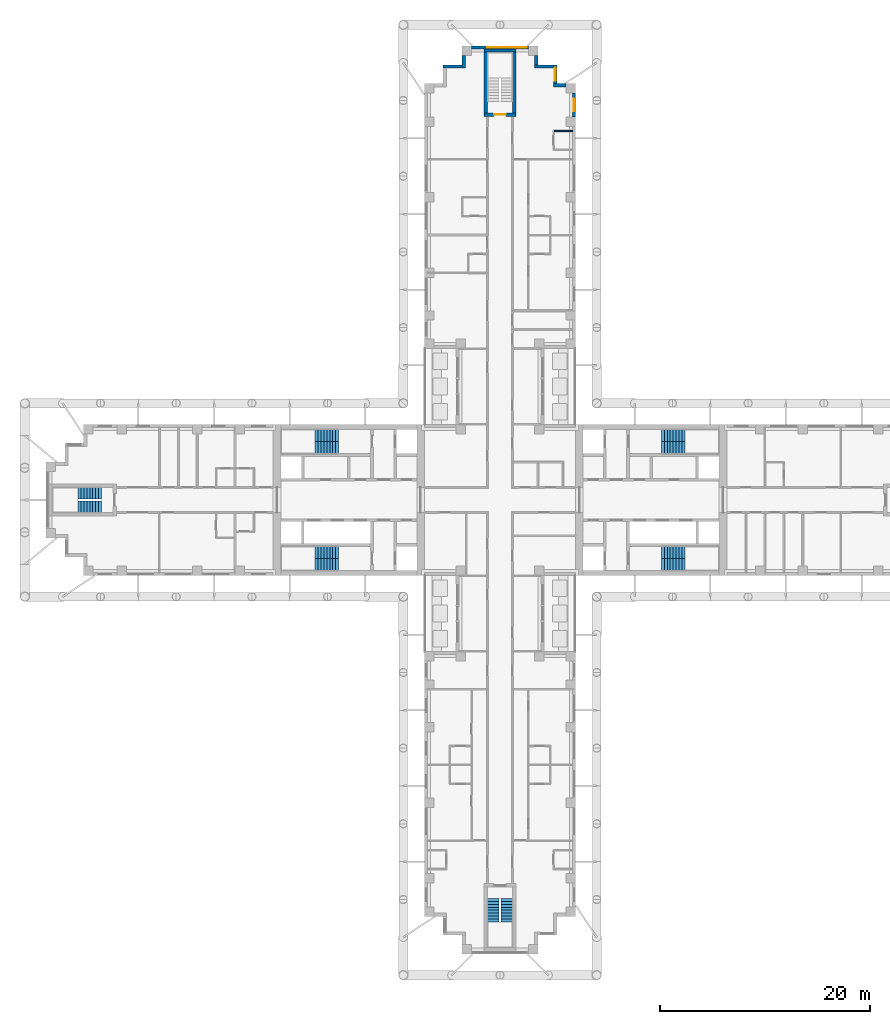
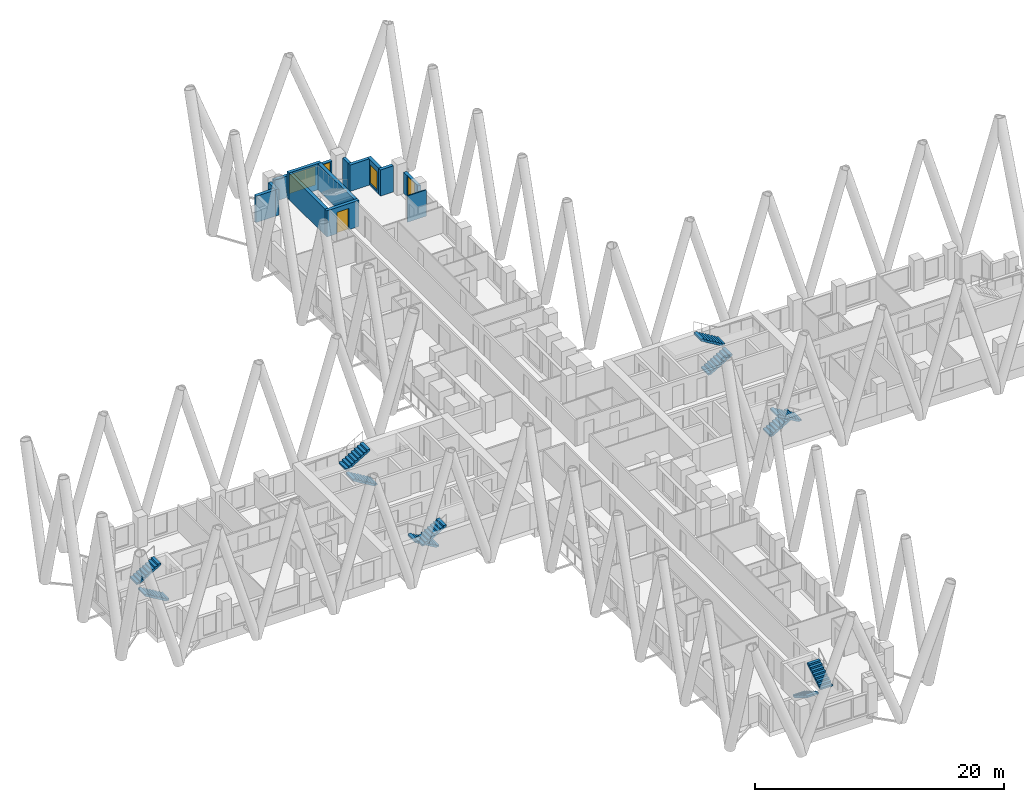
# One storey, part 13 of 16: 13 walls, 12 stair flights, 4 windows, 1 door, 5 openings, 6 elements without a shape of their own.
"""IFC4 building model written with IfcOpenShell, lengths in metres."""

from ifc_helpers import new_model, si_unit, direction, frame, frame_2d, origin, place, context, subcontext, project, spatial, polyline, rectangle, outline, extrude, material, layer, layer_set, type_object, element, fill, aggregate, save


model = new_model("IFC4")

# Units and contexts
model_context = context("Model", 3, precision=1e-05, world=origin(), true_north=direction((0.0, 1.0)))
body_context = subcontext(model_context, "Body", "Model", "MODEL_VIEW")
ifc_project = project(units=[si_unit("LENGTHUNIT", "METRE"), si_unit("AREAUNIT", "SQUARE_METRE"), si_unit("VOLUMEUNIT", "CUBIC_METRE"), si_unit("PLANEANGLEUNIT", "RADIAN"), si_unit("MASSUNIT", "GRAM", prefix="KILO")], contexts=[model_context])

# Site, building, storey
site_placement = place(None, origin())
site = spatial("IfcSite", under=ifc_project, at=site_placement, CompositionType="ELEMENT")
building_placement = place(site_placement, origin())
building = spatial("IfcBuilding", under=site, at=building_placement, Name="Fustian Cross Tower", CompositionType="ELEMENT")
storey_placement = place(building_placement, frame((0.0, 0.0, 44.699951171875)))
storey = spatial("IfcBuildingStorey", under=building, at=storey_placement, Name="L13", CompositionType="ELEMENT", Elevation=44.699951171875)

# Wall
ifc_material_1 = material(Name="Plasterboard on steel stud", Category="steel")
ifc_layer_1 = layer(ifc_material_1, 0.10009765625)
ifc_layer_set_1 = layer_set([ifc_layer_1], Name="Plasterboard on steel stud")
wall_type_1 = type_object("IfcWallType", Name="PARTITION 100 STUD", PredefinedType="PARTITIONING", material=ifc_layer_set_1)
wall_1_placement = place(storey_placement, frame((5.14990234375, 35.10009765625, 0.0), z_axis=(0.0, 0.0, 1.0), x_axis=(1.0, 0.0, 0.0)))
element("IfcWall", 1, at=wall_1_placement, inside=storey, type_object=wall_type_1, Name="Partition 75", PredefinedType="PARTITIONING", context=body_context, shape_type="SweptSolid", body=[
    extrude(rectangle(XDim=1.75, YDim=0.10009765625, at=frame_2d((0.875, 0.0))), origin(), (0.0, 0.0, 1.0), 2.574951171875),
])

# Wall, opening, door
ifc_material_2 = material(Name="Concrete C50/60", Category="concrete")
ifc_layer_2 = layer(ifc_material_2, 0.300048828125)
ifc_layer_set_2 = layer_set([ifc_layer_2], Name="Concrete C50/60")
wall_type_2 = type_object("IfcWallType", Name="STAIR ENCLOSURE WALL 300 C50/60", PredefinedType="SHEAR", material=ifc_layer_set_2)
wall_2_placement = place(storey_placement, frame((-1.5, 36.64990234375, 0.0), z_axis=(0.0, 0.0, 1.0), x_axis=(1.0, 0.0, 0.0)))
wall_2 = element("IfcWall", 2, at=wall_2_placement, inside=storey, type_object=wall_type_2, Name="Stair enclosure wall", PredefinedType="SHEAR", context=body_context, shape_type="SweptSolid", body=[
    extrude(rectangle(XDim=3.0, YDim=0.300048828125, at=frame_2d((1.5, 0.0))), origin(), (0.0, 0.0, 1.0), 2.574951171875),
])
opening_1_placement = place(wall_2_placement, frame((0.949951171875, 0.0, 0.0)))
opening_1 = element("IfcOpeningElement", 3, at=opening_1_placement, cuts=wall_2, Name="Opening CD-05-31", PredefinedType="OPENING", context=body_context, shape_type="SweptSolid", body=[
    extrude(rectangle(XDim=1.10009765625, YDim=2.10009765625, at=frame_2d((0.550048828125, 1.050048828125))), frame((0.0, 0.159912109375, 0.0), z_axis=(0.0, -1.0, 0.0), x_axis=(1.0, 0.0, 0.0)), (0.0, 0.0, 1.0), 0.320068359375),
])
ifc_material_3 = material(Name="Steel", Category="steel")
door_type = type_object("IfcDoorType", Name="FIRE DOOR FD60S 1100X2100", OperationType="SINGLE_SWING_LEFT", PredefinedType="DOOR", material=ifc_material_3)
door_placement = place(opening_1_placement, origin())
door = element("IfcDoor", 4, at=door_placement, inside=storey, type_object=door_type, Name="Core door CD-05-31", OperationType="SINGLE_SWING_LEFT", OverallHeight=2.10009765625, OverallWidth=1.10009765625, PredefinedType="DOOR", context=body_context, shape_type="SweptSolid", body=[
    extrude(rectangle(XDim=1.10009765625, YDim=2.10009765625, at=frame_2d((0.550048828125, 1.050048828125))), frame((0.0, 0.02490234375, 0.0), z_axis=(0.0, -1.0, 0.0), x_axis=(1.0, 0.0, 0.0)), (0.0, 0.0, 1.0), 0.050048828125),
])
fill(opening_1, door)

# Walls
wall_3_placement = place(storey_placement, frame((-1.5, 42.75, 0.0), z_axis=(0.0, 0.0, 1.0), x_axis=(1.0, 0.0, 0.0)))
element("IfcWall", 5, at=wall_3_placement, inside=storey, type_object=wall_type_2, Name="Stair enclosure wall", PredefinedType="SHEAR", context=body_context, shape_type="SweptSolid", body=[
    extrude(rectangle(XDim=3.0, YDim=0.300048828125, at=frame_2d((1.5, 0.0))), origin(), (0.0, 0.0, 1.0), 2.574951171875),
])
for number, where, z_axis, x_axis, name in (
    (6, (-1.35009765625, 36.800048828125, 0.0), (0.0, 0.0, 1.0), (0.0, 1.0, 0.0), "Stair enclosure wall"),
    (7, (1.35009765625, 36.800048828125, 0.0), (0.0, 0.0, 1.0), (0.0, 1.0, 0.0), "Stair enclosure wall"),
):
    element("IfcWall", number, at=place(storey_placement, frame(where, z_axis=z_axis, x_axis=x_axis)), inside=storey, type_object=wall_type_2, Name=name, PredefinedType="SHEAR", context=body_context, shape_type="SweptSolid", body=[
        extrude(rectangle(XDim=5.800048828125, YDim=0.300048828125, at=frame_2d((2.89990234375, 0.0))), origin(), (0.0, 0.0, 1.0), 2.574951171875),
    ])

# Wall, opening, window
ifc_material_4 = material(Name="Dark aluminium cladding on insulated backing wall", Category="aluminium")
ifc_layer_3 = layer(ifc_material_4, 0.300048828125)
ifc_layer_set_3 = layer_set([ifc_layer_3], Name="Dark aluminium cladding on insulated backing wall")
wall_type_3 = type_object("IfcWallType", Name="XW1 EXTERNAL WALL 300", PredefinedType="SOLIDWALL", material=ifc_layer_set_3)
wall_4_placement = place(storey_placement, frame((7.050048828125, 36.449951171875, 0.0), z_axis=(0.0, 0.0, 1.0), x_axis=(0.0, 1.0, 0.0)))
wall_4 = element("IfcWall", 8, at=wall_4_placement, inside=storey, type_object=wall_type_3, Name="External wall", PredefinedType="SOLIDWALL", context=body_context, shape_type="SweptSolid", body=[
    extrude(rectangle(XDim=2.25, YDim=0.300048828125, at=frame_2d((1.125, 0.0))), origin(), (0.0, 0.0, 1.0), 2.10009765625),
])
opening_2_placement = place(wall_4_placement, frame((0.52490234375, 0.0, 0.199951171875)))
opening_2 = element("IfcOpeningElement", 9, at=opening_2_placement, cuts=wall_4, Name="Opening WN3", PredefinedType="OPENING", context=body_context, shape_type="SweptSolid", body=[
    extrude(rectangle(XDim=1.199951171875, YDim=1.85009765625, at=frame_2d((0.60009765625, 0.925048828125))), frame((0.0, 0.159912109375, 0.0), z_axis=(0.0, -1.0, 0.0), x_axis=(1.0, 0.0, 0.0)), (0.0, 0.0, 1.0), 0.320068359375),
])
ifc_material_5 = material(Name="Dark anodised aluminium and double glazing", Category="aluminium")
window_type_1 = type_object("IfcWindowType", Name="WN3 WINDOW 1200X1850", PartitioningType="SINGLE_PANEL", PredefinedType="WINDOW", material=ifc_material_5)
window_1_placement = place(opening_2_placement, origin())
window_1 = element("IfcWindow", 10, at=window_1_placement, inside=storey, type_object=window_type_1, Name="Window", OverallHeight=1.85009765625, OverallWidth=1.199951171875, PartitioningType="SINGLE_PANEL", PredefinedType="WINDOW", context=body_context, shape_type="SweptSolid", body=[
    extrude(rectangle(XDim=1.199951171875, YDim=1.85009765625, at=frame_2d((0.60009765625, 0.925048828125))), frame((0.0, 0.030029296875, 0.0), z_axis=(0.0, -1.0, 0.0), x_axis=(1.0, 0.0, 0.0)), (0.0, 0.0, 1.0), 0.06005859375),
])
fill(opening_2, window_1)

# Wall
wall_5_placement = place(storey_placement, frame((6.300048828125, 39.449951171875, 0.0), z_axis=(0.0, 0.0, 1.0), x_axis=(-1.0, 0.0, 0.0)))
element("IfcWall", 11, at=wall_5_placement, inside=storey, type_object=wall_type_3, Name="External wall", PredefinedType="SOLIDWALL", context=body_context, shape_type="SweptSolid", body=[
    extrude(rectangle(XDim=1.199951171875, YDim=0.300048828125, at=frame_2d((0.60009765625, 0.0))), origin(), (0.0, 0.0, 1.0), 2.574951171875),
])

# Wall, opening, window
wall_6_placement = place(storey_placement, frame((5.25, 39.60009765625, 0.0), z_axis=(0.0, 0.0, 1.0), x_axis=(0.0, 1.0, 0.0)))
wall_6 = element("IfcWall", 12, at=wall_6_placement, inside=storey, type_object=wall_type_3, Name="External wall", PredefinedType="SOLIDWALL", context=body_context, shape_type="SweptSolid", body=[
    extrude(rectangle(XDim=1.7998046875, YDim=0.300048828125, at=frame_2d((0.89990234375, 0.0))), origin(), (0.0, 0.0, 1.0), 2.574951171875),
])
opening_3_placement = place(wall_6_placement, frame((0.300048828125, 0.0, 0.199951171875)))
opening_3 = element("IfcOpeningElement", 13, at=opening_3_placement, cuts=wall_6, Name="Opening WN3", PredefinedType="OPENING", context=body_context, shape_type="SweptSolid", body=[
    extrude(rectangle(XDim=1.199951171875, YDim=1.85009765625, at=frame_2d((0.60009765625, 0.925048828125))), frame((0.0, 0.159912109375, 0.0), z_axis=(0.0, -1.0, 0.0), x_axis=(1.0, 0.0, 0.0)), (0.0, 0.0, 1.0), 0.320068359375),
])
window_2_placement = place(opening_3_placement, origin())
window_2 = element("IfcWindow", 14, at=window_2_placement, inside=storey, type_object=window_type_1, Name="Window", OverallHeight=1.85009765625, OverallWidth=1.199951171875, PartitioningType="SINGLE_PANEL", PredefinedType="WINDOW", context=body_context, shape_type="SweptSolid", body=[
    extrude(rectangle(XDim=1.199951171875, YDim=1.85009765625, at=frame_2d((0.60009765625, 0.925048828125))), frame((0.0, 0.030029296875, 0.0), z_axis=(0.0, -1.0, 0.0), x_axis=(1.0, 0.0, 0.0)), (0.0, 0.0, 1.0), 0.06005859375),
])
fill(opening_3, window_2)

# Walls
wall_7_placement = place(storey_placement, frame((5.10009765625, 41.25, 0.0), z_axis=(0.0, 0.0, 1.0), x_axis=(-1.0, 0.0, 0.0)))
element("IfcWall", 15, at=wall_7_placement, inside=storey, type_object=wall_type_3, Name="External wall", PredefinedType="SOLIDWALL", context=body_context, shape_type="SweptSolid", body=[
    extrude(rectangle(XDim=1.800048828125, YDim=0.300048828125, at=frame_2d((0.89990234375, 0.0))), origin(), (0.0, 0.0, 1.0), 2.574951171875),
])
wall_8_placement = place(storey_placement, frame((3.449951171875, 41.39990234375, 0.0), z_axis=(0.0, 0.0, 1.0), x_axis=(0.0, 1.0, 0.0)))
element("IfcWall", 16, at=wall_8_placement, inside=storey, type_object=wall_type_3, Name="External wall", PredefinedType="SOLIDWALL", context=body_context, shape_type="SweptSolid", body=[
    extrude(rectangle(XDim=0.900146484375, YDim=0.300048828125, at=frame_2d((0.4501953125, 0.0))), origin(), (0.0, 0.0, 1.0), 2.574951171875),
])

# Wall, openings, windows
wall_9_placement = place(storey_placement, frame((2.699951171875, 43.050048828125, 0.0), z_axis=(0.0, 0.0, 1.0), x_axis=(-1.0, 0.0, 0.0)))
wall_9 = element("IfcWall", 17, at=wall_9_placement, inside=storey, type_object=wall_type_3, Name="External wall", PredefinedType="SOLIDWALL", context=body_context, shape_type="SweptSolid", body=[
    extrude(rectangle(XDim=5.39990234375, YDim=0.300048828125, at=frame_2d((2.699951171875, 0.0))), origin(), (0.0, 0.0, 1.0), 2.10009765625),
])
opening_4_placement = place(wall_9_placement, frame((1.5, 0.0, 0.199951171875)))
opening_4 = element("IfcOpeningElement", 18, at=opening_4_placement, cuts=wall_9, Name="Opening WN1", PredefinedType="OPENING", context=body_context, shape_type="SweptSolid", body=[
    extrude(rectangle(XDim=2.39990234375, YDim=1.85009765625, at=frame_2d((1.199951171875, 0.925048828125))), frame((0.0, 0.159912109375, 0.0), z_axis=(0.0, -1.0, 0.0), x_axis=(1.0, 0.0, 0.0)), (0.0, 0.0, 1.0), 0.320068359375),
])
opening_5_placement = place(wall_9_placement, frame((0.14990234375, 0.0, 0.199951171875)))
opening_5 = element("IfcOpeningElement", 19, at=opening_5_placement, cuts=wall_9, Name="Opening WN3", PredefinedType="OPENING", context=body_context, shape_type="SweptSolid", body=[
    extrude(rectangle(XDim=1.199951171875, YDim=1.85009765625, at=frame_2d((0.60009765625, 0.925048828125))), frame((0.0, 0.159912109375, 0.0), z_axis=(0.0, -1.0, 0.0), x_axis=(1.0, 0.0, 0.0)), (0.0, 0.0, 1.0), 0.320068359375),
])
ifc_material_6 = material(Name="Dark anodised aluminium and double glazing", Category="aluminium")
window_type_2 = type_object("IfcWindowType", Name="WN1 WINDOW 2400X1850", PartitioningType="SINGLE_PANEL", PredefinedType="WINDOW", material=ifc_material_6)
window_3_placement = place(opening_4_placement, origin())
window_3 = element("IfcWindow", 20, at=window_3_placement, inside=storey, type_object=window_type_2, Name="Window", OverallHeight=1.85009765625, OverallWidth=2.39990234375, PartitioningType="SINGLE_PANEL", PredefinedType="WINDOW", context=body_context, shape_type="SweptSolid", body=[
    extrude(rectangle(XDim=2.39990234375, YDim=1.85009765625, at=frame_2d((1.199951171875, 0.925048828125))), frame((0.0, 0.030029296875, 0.0), z_axis=(0.0, -1.0, 0.0), x_axis=(1.0, 0.0, 0.0)), (0.0, 0.0, 1.0), 0.06005859375),
])
fill(opening_4, window_3)
window_4_placement = place(opening_5_placement, origin())
window_4 = element("IfcWindow", 21, at=window_4_placement, inside=storey, type_object=window_type_1, Name="Window", OverallHeight=1.85009765625, OverallWidth=1.199951171875, PartitioningType="SINGLE_PANEL", PredefinedType="WINDOW", context=body_context, shape_type="SweptSolid", body=[
    extrude(rectangle(XDim=1.199951171875, YDim=1.85009765625, at=frame_2d((0.60009765625, 0.925048828125))), frame((0.0, 0.030029296875, 0.0), z_axis=(0.0, -1.0, 0.0), x_axis=(1.0, 0.0, 0.0)), (0.0, 0.0, 1.0), 0.06005859375),
])
fill(opening_5, window_4)

# Walls
wall_10_placement = place(storey_placement, frame((-3.449951171875, 42.300048828125, 0.0), z_axis=(0.0, 0.0, 1.0), x_axis=(0.0, -1.0, 0.0)))
element("IfcWall", 22, at=wall_10_placement, inside=storey, type_object=wall_type_3, Name="External wall", PredefinedType="SOLIDWALL", context=body_context, shape_type="SweptSolid", body=[
    extrude(rectangle(XDim=1.199951171875, YDim=0.300048828125, at=frame_2d((0.60009765625, 0.0))), origin(), (0.0, 0.0, 1.0), 2.574951171875),
])
wall_11_placement = place(storey_placement, frame((-3.60009765625, 41.25, 0.0), z_axis=(0.0, 0.0, 1.0), x_axis=(-1.0, 0.0, 0.0)))
element("IfcWall", 23, at=wall_11_placement, inside=storey, type_object=wall_type_3, Name="External wall", PredefinedType="SOLIDWALL", context=body_context, shape_type="SweptSolid", body=[
    extrude(rectangle(XDim=1.7998046875, YDim=0.300048828125, at=frame_2d((0.89990234375, 0.0))), origin(), (0.0, 0.0, 1.0), 2.574951171875),
])

# Stair, stair flights
ifc_material_7 = material(Name="Concrete C50/60", Category="concrete")
stair_type_1 = type_object("IfcStairType", Name="STAIR 1100 HALF TURN", PredefinedType="HALF_TURN_STAIR", material=ifc_material_7)
stair_1_placement = place(storey_placement, origin())
stair_1 = element("IfcStair", 24, at=stair_1_placement, inside=storey, type_object=stair_type_1, Name="Stair ST6", PredefinedType="HALF_TURN_STAIR")
ifc_material_8 = material(Name="Concrete C50/60", Category="concrete")
stair_flight_type_1 = type_object("IfcStairFlightType", Name="STAIR FLIGHT 1100", PredefinedType="STRAIGHT", material=ifc_material_8)
stair_flight_1_placement = place(storey_placement, frame((-0.64990234375, -37.89990234375, 0.0), z_axis=(0.0, 0.0, 1.0), x_axis=(0.0, -1.0, 0.0)))
stair_flight_1 = element("IfcStairFlight", 25, at=stair_flight_1_placement, type_object=stair_flight_type_1, Name="ST6 flight 1", NumberOfRisers=9, NumberOfTreads=8, PredefinedType="STRAIGHT", RiserHeight=0.166666667, TreadLength=0.28, context=body_context, shape_type="SweptSolid", body=[
    extrude(outline(polyline([(0.0, 0.0), (0.0, 0.166748046875), (0.280029296875, 0.166748046875), (0.280029296875, 0.333251953125), (0.56005859375, 0.333251953125), (0.56005859375, 0.5), (0.840087890625, 0.5), (0.840087890625, 0.666748046875), (1.1201171875, 0.666748046875), (1.1201171875, 0.833251953125), (1.39990234375, 0.833251953125), (1.39990234375, 1.0), (1.679931640625, 1.0), (1.679931640625, 1.166748046875), (1.9599609375, 1.166748046875), (1.9599609375, 1.333251953125), (2.239990234375, 1.333251953125), (2.239990234375, 1.5), (2.239990234375, 1.158935546875), (0.29296875, 0.0), (0.0, 0.0)])), frame((0.0, 0.550048828125, 0.0), z_axis=(0.0, -1.0, 0.0), x_axis=(1.0, 0.0, 0.0)), (0.0, 0.0, 1.0), 1.10009765625),
])
stair_flight_2_placement = place(storey_placement, frame((0.64990234375, -40.139892578125, 1.5), z_axis=(0.0, 0.0, 1.0), x_axis=(0.0, 1.0, 0.0)))
stair_flight_2 = element("IfcStairFlight", 26, at=stair_flight_2_placement, type_object=stair_flight_type_1, Name="ST6 flight 2", NumberOfRisers=9, NumberOfTreads=8, PredefinedType="STRAIGHT", RiserHeight=0.166666667, TreadLength=0.28, context=body_context, shape_type="SweptSolid", body=[
    extrude(outline(polyline([(0.0, 0.0), (0.0, 0.166748046875), (0.280029296875, 0.166748046875), (0.280029296875, 0.333251953125), (0.56005859375, 0.333251953125), (0.56005859375, 0.5), (0.840087890625, 0.5), (0.840087890625, 0.666748046875), (1.1201171875, 0.666748046875), (1.1201171875, 0.833251953125), (1.39990234375, 0.833251953125), (1.39990234375, 1.0), (1.679931640625, 1.0), (1.679931640625, 1.166748046875), (1.9599609375, 1.166748046875), (1.9599609375, 1.333251953125), (2.239990234375, 1.333251953125), (2.239990234375, 1.5), (2.239990234375, 1.158935546875), (0.29296875, 0.0), (0.0, 0.0)])), frame((0.0, 0.550048828125, 0.0), z_axis=(0.0, -1.0, 0.0), x_axis=(1.0, 0.0, 0.0)), (0.0, 0.0, 1.0), 1.10009765625),
])
aggregate(stair_1, [stair_flight_1, stair_flight_2])

stair_2_placement = place(storey_placement, origin())
stair_2 = element("IfcStair", 27, at=stair_2_placement, inside=storey, type_object=stair_type_1, Name="Stair ST9", PredefinedType="HALF_TURN_STAIR")
stair_flight_3_placement = place(storey_placement, frame((-37.89990234375, -0.64990234375, 0.0), z_axis=(0.0, 0.0, 1.0), x_axis=(-1.0, 0.0, 0.0)))
stair_flight_3 = element("IfcStairFlight", 28, at=stair_flight_3_placement, type_object=stair_flight_type_1, Name="ST9 flight 1", NumberOfRisers=9, NumberOfTreads=8, PredefinedType="STRAIGHT", RiserHeight=0.166666667, TreadLength=0.28, context=body_context, shape_type="SweptSolid", body=[
    extrude(outline(polyline([(0.0, 0.0), (0.0, 0.166748046875), (0.280029296875, 0.166748046875), (0.280029296875, 0.333251953125), (0.56005859375, 0.333251953125), (0.56005859375, 0.5), (0.840087890625, 0.5), (0.840087890625, 0.666748046875), (1.1201171875, 0.666748046875), (1.1201171875, 0.833251953125), (1.39990234375, 0.833251953125), (1.39990234375, 1.0), (1.679931640625, 1.0), (1.679931640625, 1.166748046875), (1.9599609375, 1.166748046875), (1.9599609375, 1.333251953125), (2.239990234375, 1.333251953125), (2.239990234375, 1.5), (2.239990234375, 1.158935546875), (0.29296875, 0.0), (0.0, 0.0)])), frame((0.0, 0.550048828125, 0.0), z_axis=(0.0, -1.0, 0.0), x_axis=(1.0, 0.0, 0.0)), (0.0, 0.0, 1.0), 1.10009765625),
])
stair_flight_4_placement = place(storey_placement, frame((-40.139892578125, 0.64990234375, 1.5), z_axis=(0.0, 0.0, 1.0), x_axis=(1.0, 0.0, 0.0)))
stair_flight_4 = element("IfcStairFlight", 29, at=stair_flight_4_placement, type_object=stair_flight_type_1, Name="ST9 flight 2", NumberOfRisers=9, NumberOfTreads=8, PredefinedType="STRAIGHT", RiserHeight=0.166666667, TreadLength=0.28, context=body_context, shape_type="SweptSolid", body=[
    extrude(outline(polyline([(0.0, 0.0), (0.0, 0.166748046875), (0.280029296875, 0.166748046875), (0.280029296875, 0.333251953125), (0.56005859375, 0.333251953125), (0.56005859375, 0.5), (0.840087890625, 0.5), (0.840087890625, 0.666748046875), (1.1201171875, 0.666748046875), (1.1201171875, 0.833251953125), (1.39990234375, 0.833251953125), (1.39990234375, 1.0), (1.679931640625, 1.0), (1.679931640625, 1.166748046875), (1.9599609375, 1.166748046875), (1.9599609375, 1.333251953125), (2.239990234375, 1.333251953125), (2.239990234375, 1.5), (2.239990234375, 1.158935546875), (0.29296875, 0.0), (0.0, 0.0)])), frame((0.0, 0.550048828125, 0.0), z_axis=(0.0, -1.0, 0.0), x_axis=(1.0, 0.0, 0.0)), (0.0, 0.0, 1.0), 1.10009765625),
])
aggregate(stair_2, [stair_flight_3, stair_flight_4])

ifc_material_9 = material(Name="Concrete C50/60", Category="concrete")
stair_type_2 = type_object("IfcStairType", Name="STAIR 1150 HALF TURN", PredefinedType="HALF_TURN_STAIR", material=ifc_material_9)
stair_3_placement = place(storey_placement, origin())
stair_3 = element("IfcStair", 30, at=stair_3_placement, inside=storey, type_object=stair_type_2, Name="Stair ST1", PredefinedType="HALF_TURN_STAIR")
ifc_material_10 = material(Name="Concrete C50/60", Category="concrete")
stair_flight_type_2 = type_object("IfcStairFlightType", Name="STAIR FLIGHT 1150", PredefinedType="STRAIGHT", material=ifc_material_10)
stair_flight_5_placement = place(storey_placement, frame((15.35009765625, 4.97509765625, 0.0), z_axis=(0.0, 0.0, 1.0), x_axis=(1.0, 0.0, 0.0)))
stair_flight_5 = element("IfcStairFlight", 31, at=stair_flight_5_placement, type_object=stair_flight_type_2, Name="ST1 flight 1", NumberOfRisers=9, NumberOfTreads=8, PredefinedType="STRAIGHT", RiserHeight=0.166666667, TreadLength=0.28, context=body_context, shape_type="SweptSolid", body=[
    extrude(outline(polyline([(0.0, 0.0), (0.0, 0.166748046875), (0.280029296875, 0.166748046875), (0.280029296875, 0.333251953125), (0.56005859375, 0.333251953125), (0.56005859375, 0.5), (0.840087890625, 0.5), (0.840087890625, 0.666748046875), (1.1201171875, 0.666748046875), (1.1201171875, 0.833251953125), (1.39990234375, 0.833251953125), (1.39990234375, 1.0), (1.679931640625, 1.0), (1.679931640625, 1.166748046875), (1.9599609375, 1.166748046875), (1.9599609375, 1.333251953125), (2.239990234375, 1.333251953125), (2.239990234375, 1.5), (2.239990234375, 1.158935546875), (0.29296875, 0.0), (0.0, 0.0)])), frame((0.0, 0.574951171875, 0.0), z_axis=(0.0, -1.0, 0.0), x_axis=(1.0, 0.0, 0.0)), (0.0, 0.0, 1.0), 1.14990234375),
])
stair_flight_6_placement = place(storey_placement, frame((17.590087890625, 6.125, 1.5), z_axis=(0.0, 0.0, 1.0), x_axis=(-1.0, 0.0, 0.0)))
stair_flight_6 = element("IfcStairFlight", 32, at=stair_flight_6_placement, type_object=stair_flight_type_2, Name="ST1 flight 2", NumberOfRisers=9, NumberOfTreads=8, PredefinedType="STRAIGHT", RiserHeight=0.166666667, TreadLength=0.28, context=body_context, shape_type="SweptSolid", body=[
    extrude(outline(polyline([(0.0, 0.0), (0.0, 0.166748046875), (0.280029296875, 0.166748046875), (0.280029296875, 0.333251953125), (0.56005859375, 0.333251953125), (0.56005859375, 0.5), (0.840087890625, 0.5), (0.840087890625, 0.666748046875), (1.1201171875, 0.666748046875), (1.1201171875, 0.833251953125), (1.39990234375, 0.833251953125), (1.39990234375, 1.0), (1.679931640625, 1.0), (1.679931640625, 1.166748046875), (1.9599609375, 1.166748046875), (1.9599609375, 1.333251953125), (2.239990234375, 1.333251953125), (2.239990234375, 1.5), (2.239990234375, 1.158935546875), (0.29296875, 0.0), (0.0, 0.0)])), frame((0.0, 0.574951171875, 0.0), z_axis=(0.0, -1.0, 0.0), x_axis=(1.0, 0.0, 0.0)), (0.0, 0.0, 1.0), 1.14990234375),
])
aggregate(stair_3, [stair_flight_5, stair_flight_6])

stair_4_placement = place(storey_placement, origin())
stair_4 = element("IfcStair", 33, at=stair_4_placement, inside=storey, type_object=stair_type_2, Name="Stair ST2", PredefinedType="HALF_TURN_STAIR")
stair_flight_7_placement = place(storey_placement, frame((15.35009765625, -4.97509765625, 0.0), z_axis=(0.0, 0.0, 1.0), x_axis=(1.0, 0.0, 0.0)))
stair_flight_7 = element("IfcStairFlight", 34, at=stair_flight_7_placement, type_object=stair_flight_type_2, Name="ST2 flight 1", NumberOfRisers=9, NumberOfTreads=8, PredefinedType="STRAIGHT", RiserHeight=0.166666667, TreadLength=0.28, context=body_context, shape_type="SweptSolid", body=[
    extrude(outline(polyline([(0.0, 0.0), (0.0, 0.166748046875), (0.280029296875, 0.166748046875), (0.280029296875, 0.333251953125), (0.56005859375, 0.333251953125), (0.56005859375, 0.5), (0.840087890625, 0.5), (0.840087890625, 0.666748046875), (1.1201171875, 0.666748046875), (1.1201171875, 0.833251953125), (1.39990234375, 0.833251953125), (1.39990234375, 1.0), (1.679931640625, 1.0), (1.679931640625, 1.166748046875), (1.9599609375, 1.166748046875), (1.9599609375, 1.333251953125), (2.239990234375, 1.333251953125), (2.239990234375, 1.5), (2.239990234375, 1.158935546875), (0.29296875, 0.0), (0.0, 0.0)])), frame((0.0, 0.574951171875, 0.0), z_axis=(0.0, -1.0, 0.0), x_axis=(1.0, 0.0, 0.0)), (0.0, 0.0, 1.0), 1.14990234375),
])
stair_flight_8_placement = place(storey_placement, frame((17.590087890625, -6.125, 1.5), z_axis=(0.0, 0.0, 1.0), x_axis=(-1.0, 0.0, 0.0)))
stair_flight_8 = element("IfcStairFlight", 35, at=stair_flight_8_placement, type_object=stair_flight_type_2, Name="ST2 flight 2", NumberOfRisers=9, NumberOfTreads=8, PredefinedType="STRAIGHT", RiserHeight=0.166666667, TreadLength=0.28, context=body_context, shape_type="SweptSolid", body=[
    extrude(outline(polyline([(0.0, 0.0), (0.0, 0.166748046875), (0.280029296875, 0.166748046875), (0.280029296875, 0.333251953125), (0.56005859375, 0.333251953125), (0.56005859375, 0.5), (0.840087890625, 0.5), (0.840087890625, 0.666748046875), (1.1201171875, 0.666748046875), (1.1201171875, 0.833251953125), (1.39990234375, 0.833251953125), (1.39990234375, 1.0), (1.679931640625, 1.0), (1.679931640625, 1.166748046875), (1.9599609375, 1.166748046875), (1.9599609375, 1.333251953125), (2.239990234375, 1.333251953125), (2.239990234375, 1.5), (2.239990234375, 1.158935546875), (0.29296875, 0.0), (0.0, 0.0)])), frame((0.0, 0.574951171875, 0.0), z_axis=(0.0, -1.0, 0.0), x_axis=(1.0, 0.0, 0.0)), (0.0, 0.0, 1.0), 1.14990234375),
])
aggregate(stair_4, [stair_flight_7, stair_flight_8])

stair_5_placement = place(storey_placement, origin())
stair_5 = element("IfcStair", 36, at=stair_5_placement, inside=storey, type_object=stair_type_2, Name="Stair ST3", PredefinedType="HALF_TURN_STAIR")
stair_flight_9_placement = place(storey_placement, frame((-15.35009765625, 4.97509765625, 0.0), z_axis=(0.0, 0.0, 1.0), x_axis=(-1.0, 0.0, 0.0)))
stair_flight_9 = element("IfcStairFlight", 37, at=stair_flight_9_placement, type_object=stair_flight_type_2, Name="ST3 flight 1", NumberOfRisers=9, NumberOfTreads=8, PredefinedType="STRAIGHT", RiserHeight=0.166666667, TreadLength=0.28, context=body_context, shape_type="SweptSolid", body=[
    extrude(outline(polyline([(0.0, 0.0), (0.0, 0.166748046875), (0.280029296875, 0.166748046875), (0.280029296875, 0.333251953125), (0.56005859375, 0.333251953125), (0.56005859375, 0.5), (0.840087890625, 0.5), (0.840087890625, 0.666748046875), (1.1201171875, 0.666748046875), (1.1201171875, 0.833251953125), (1.39990234375, 0.833251953125), (1.39990234375, 1.0), (1.679931640625, 1.0), (1.679931640625, 1.166748046875), (1.9599609375, 1.166748046875), (1.9599609375, 1.333251953125), (2.239990234375, 1.333251953125), (2.239990234375, 1.5), (2.239990234375, 1.158935546875), (0.29296875, 0.0), (0.0, 0.0)])), frame((0.0, 0.574951171875, 0.0), z_axis=(0.0, -1.0, 0.0), x_axis=(1.0, 0.0, 0.0)), (0.0, 0.0, 1.0), 1.14990234375),
])
stair_flight_10_placement = place(storey_placement, frame((-17.590087890625, 6.125, 1.5), z_axis=(0.0, 0.0, 1.0), x_axis=(1.0, 0.0, 0.0)))
stair_flight_10 = element("IfcStairFlight", 38, at=stair_flight_10_placement, type_object=stair_flight_type_2, Name="ST3 flight 2", NumberOfRisers=9, NumberOfTreads=8, PredefinedType="STRAIGHT", RiserHeight=0.166666667, TreadLength=0.28, context=body_context, shape_type="SweptSolid", body=[
    extrude(outline(polyline([(0.0, 0.0), (0.0, 0.166748046875), (0.280029296875, 0.166748046875), (0.280029296875, 0.333251953125), (0.56005859375, 0.333251953125), (0.56005859375, 0.5), (0.840087890625, 0.5), (0.840087890625, 0.666748046875), (1.1201171875, 0.666748046875), (1.1201171875, 0.833251953125), (1.39990234375, 0.833251953125), (1.39990234375, 1.0), (1.679931640625, 1.0), (1.679931640625, 1.166748046875), (1.9599609375, 1.166748046875), (1.9599609375, 1.333251953125), (2.239990234375, 1.333251953125), (2.239990234375, 1.5), (2.239990234375, 1.158935546875), (0.29296875, 0.0), (0.0, 0.0)])), frame((0.0, 0.574951171875, 0.0), z_axis=(0.0, -1.0, 0.0), x_axis=(1.0, 0.0, 0.0)), (0.0, 0.0, 1.0), 1.14990234375),
])
aggregate(stair_5, [stair_flight_9, stair_flight_10])

stair_6_placement = place(storey_placement, origin())
stair_6 = element("IfcStair", 39, at=stair_6_placement, inside=storey, type_object=stair_type_2, Name="Stair ST4", PredefinedType="HALF_TURN_STAIR")
stair_flight_11_placement = place(storey_placement, frame((-15.35009765625, -4.97509765625, 0.0), z_axis=(0.0, 0.0, 1.0), x_axis=(-1.0, 0.0, 0.0)))
stair_flight_11 = element("IfcStairFlight", 40, at=stair_flight_11_placement, type_object=stair_flight_type_2, Name="ST4 flight 1", NumberOfRisers=9, NumberOfTreads=8, PredefinedType="STRAIGHT", RiserHeight=0.166666667, TreadLength=0.28, context=body_context, shape_type="SweptSolid", body=[
    extrude(outline(polyline([(0.0, 0.0), (0.0, 0.166748046875), (0.280029296875, 0.166748046875), (0.280029296875, 0.333251953125), (0.56005859375, 0.333251953125), (0.56005859375, 0.5), (0.840087890625, 0.5), (0.840087890625, 0.666748046875), (1.1201171875, 0.666748046875), (1.1201171875, 0.833251953125), (1.39990234375, 0.833251953125), (1.39990234375, 1.0), (1.679931640625, 1.0), (1.679931640625, 1.166748046875), (1.9599609375, 1.166748046875), (1.9599609375, 1.333251953125), (2.239990234375, 1.333251953125), (2.239990234375, 1.5), (2.239990234375, 1.158935546875), (0.29296875, 0.0), (0.0, 0.0)])), frame((0.0, 0.574951171875, 0.0), z_axis=(0.0, -1.0, 0.0), x_axis=(1.0, 0.0, 0.0)), (0.0, 0.0, 1.0), 1.14990234375),
])
stair_flight_12_placement = place(storey_placement, frame((-17.590087890625, -6.125, 1.5), z_axis=(0.0, 0.0, 1.0), x_axis=(1.0, 0.0, 0.0)))
stair_flight_12 = element("IfcStairFlight", 41, at=stair_flight_12_placement, type_object=stair_flight_type_2, Name="ST4 flight 2", NumberOfRisers=9, NumberOfTreads=8, PredefinedType="STRAIGHT", RiserHeight=0.166666667, TreadLength=0.28, context=body_context, shape_type="SweptSolid", body=[
    extrude(outline(polyline([(0.0, 0.0), (0.0, 0.166748046875), (0.280029296875, 0.166748046875), (0.280029296875, 0.333251953125), (0.56005859375, 0.333251953125), (0.56005859375, 0.5), (0.840087890625, 0.5), (0.840087890625, 0.666748046875), (1.1201171875, 0.666748046875), (1.1201171875, 0.833251953125), (1.39990234375, 0.833251953125), (1.39990234375, 1.0), (1.679931640625, 1.0), (1.679931640625, 1.166748046875), (1.9599609375, 1.166748046875), (1.9599609375, 1.333251953125), (2.239990234375, 1.333251953125), (2.239990234375, 1.5), (2.239990234375, 1.158935546875), (0.29296875, 0.0), (0.0, 0.0)])), frame((0.0, 0.574951171875, 0.0), z_axis=(0.0, -1.0, 0.0), x_axis=(1.0, 0.0, 0.0)), (0.0, 0.0, 1.0), 1.14990234375),
])
aggregate(stair_6, [stair_flight_11, stair_flight_12])

save(model, "model.ifc")
